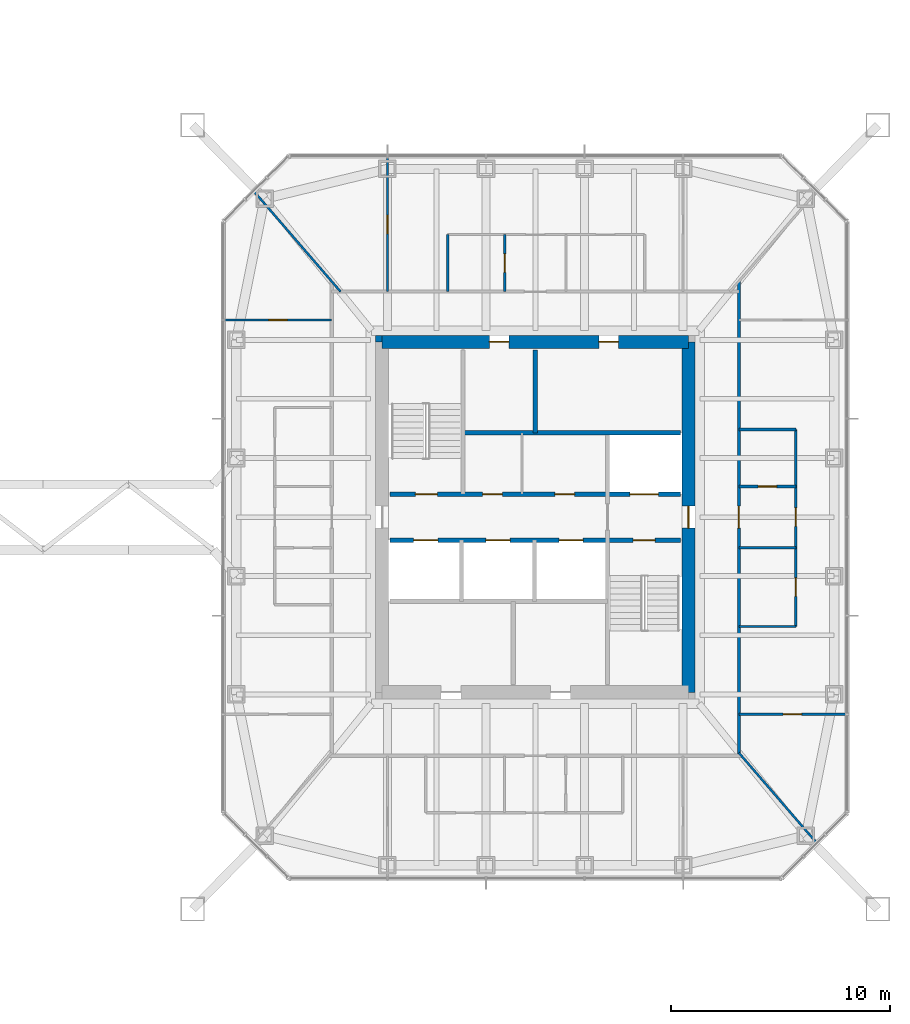
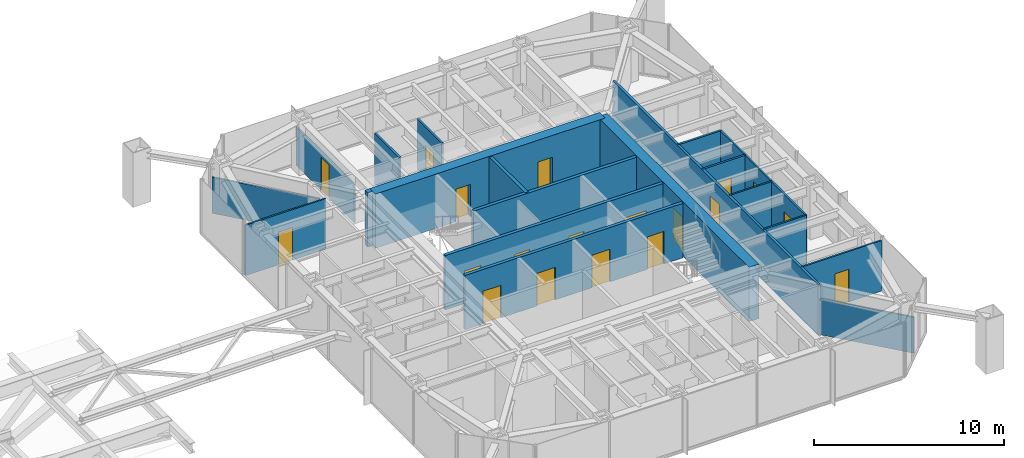
# One storey, part 19 of 26: 20 walls, 19 doors, 19 openings.
"""IFC4 building model written with IfcOpenShell, lengths in metres."""

from ifc_helpers import new_model, si_unit, direction, frame, frame_2d, origin, place, context, subcontext, project, spatial, rectangle, extrude, material, layer, layer_set, type_object, element, fill, save


model = new_model("IFC4")

# Units and contexts
model_context = context("Model", 3, precision=1e-05, world=origin(), true_north=direction((0.0, 1.0)))
body_context = subcontext(model_context, "Body", "Model", "MODEL_VIEW")
ifc_project = project(units=[si_unit("LENGTHUNIT", "METRE"), si_unit("AREAUNIT", "SQUARE_METRE"), si_unit("VOLUMEUNIT", "CUBIC_METRE"), si_unit("PLANEANGLEUNIT", "RADIAN"), si_unit("MASSUNIT", "GRAM", prefix="KILO")], contexts=[model_context])

# Site, building, storey
site_placement = place(None, origin())
site = spatial("IfcSite", under=ifc_project, at=site_placement, CompositionType="ELEMENT")
building_placement = place(site_placement, origin())
building = spatial("IfcBuilding", under=site, at=building_placement, Name="Iwan Alto Co-Living Towers", CompositionType="ELEMENT")
storey_placement = place(building_placement, frame((0.0, 0.0, 126.0)))
storey = spatial("IfcBuildingStorey", under=building, at=storey_placement, Name="L34", CompositionType="ELEMENT", Elevation=126.0)

# Wall, opening, door
ifc_material_1 = material(Name="Gypsum board")
ifc_layer_1 = layer(ifc_material_1, 0.02490234375, Name="Board", Category="Finish")
ifc_material_2 = material(Name="Steel ASTM A1003 ST33H cold-formed studs", Category="steel")
ifc_layer_2 = layer(ifc_material_2, 0.10009765625, Name="Studs", Category="Framing")
ifc_layer_3 = layer(ifc_material_1, 0.02490234375, Name="Board", Category="Finish")
ifc_layer_set_1 = layer_set([ifc_layer_1, ifc_layer_2, ifc_layer_3], Name="CORRIDOR WALL 150")
wall_type_1 = type_object("IfcWallType", Name="CORRIDOR WALL 150", PredefinedType="PARTITIONING", material=ifc_layer_set_1)
wall_1_placement = place(storey_placement, frame((72.300048828125, -10.89990234375, 0.0), z_axis=(0.0, 0.0, 1.0), x_axis=(0.0, 1.0, 0.0)))
wall_1 = element("IfcWall", 1, at=wall_1_placement, inside=storey, type_object=wall_type_1, Name="Partition L34", PredefinedType="PARTITIONING", context=body_context, shape_type="SweptSolid", body=[
    extrude(rectangle(XDim=21.66796875, YDim=0.14990234375, at=frame_2d((10.833984375, 0.0))), origin(), (0.0, 0.0, 1.0), 3.25),
])
opening_1_placement = place(wall_1_placement, frame((10.39990234375, 0.0, 0.0)))
opening_1 = element("IfcOpeningElement", 2, at=opening_1_placement, cuts=wall_1, Name="Opening D3", PredefinedType="OPENING", context=body_context, shape_type="SweptSolid", body=[
    extrude(rectangle(XDim=1.0, YDim=2.10009765625, at=frame_2d((0.5, 1.050048828125))), frame((0.0, 0.0849609375, 0.0), z_axis=(0.0, -1.0, 0.0), x_axis=(1.0, 0.0, 0.0)), (0.0, 0.0, 1.0), 0.169921875),
])
ifc_material_3 = material(Name="Steel frame with timber leaf", Category="steel")
door_type_1 = type_object("IfcDoorType", Name="FLAT ENTRANCE DOOR FD30S 1000X2100", OperationType="SINGLE_SWING_LEFT", PredefinedType="DOOR", material=ifc_material_3)
door_1_placement = place(opening_1_placement, frame((1.0, 0.0, 0.0), z_axis=(0.0, 0.0, 1.0), x_axis=(-1.0, 0.0, 0.0)))
door_1 = element("IfcDoor", 3, at=door_1_placement, inside=storey, type_object=door_type_1, Name="Apartment foyer door L34", OperationType="SINGLE_SWING_RIGHT", OverallHeight=2.10009765625, OverallWidth=1.0, PredefinedType="DOOR", context=body_context, shape_type="SweptSolid", body=[
    extrude(rectangle(XDim=1.0, YDim=2.10009765625, at=frame_2d((0.5, 1.050048828125))), frame((0.0, 0.02490234375, 0.0), z_axis=(0.0, -1.0, 0.0), x_axis=(1.0, 0.0, 0.0)), (0.0, 0.0, 1.0), 0.050048828125),
])
fill(opening_1, door_1)

ifc_layer_4 = layer(ifc_material_1, 0.012451171875, Name="Board", Category="Finish")
ifc_layer_5 = layer(ifc_material_2, 0.074951171875, Name="Studs", Category="Framing")
ifc_layer_6 = layer(ifc_material_1, 0.012451171875, Name="Board", Category="Finish")
ifc_layer_set_2 = layer_set([ifc_layer_4, ifc_layer_5, ifc_layer_6], Name="PARTITION 100")
wall_type_2 = type_object("IfcWallType", Name="PARTITION 100", PredefinedType="PARTITIONING", material=ifc_layer_set_2)
wall_2_placement = place(storey_placement, frame((72.300048828125, -9.0, 0.0), z_axis=(0.0, 0.0, 1.0), x_axis=(1.0, 0.0, 0.0)))
wall_2 = element("IfcWall", 4, at=wall_2_placement, inside=storey, type_object=wall_type_2, Name="Partition L34", PredefinedType="PARTITIONING", context=body_context, shape_type="SweptSolid", body=[
    extrude(rectangle(XDim=4.889892578125, YDim=0.10009765625, at=frame_2d((2.44482421875, 0.0))), origin(), (0.0, 0.0, 1.0), 3.25),
])
opening_2_placement = place(wall_2_placement, frame((2.02001953125, 0.0, 0.0)))
opening_2 = element("IfcOpeningElement", 5, at=opening_2_placement, cuts=wall_2, Name="Opening D2", PredefinedType="OPENING", context=body_context, shape_type="SweptSolid", body=[
    extrude(rectangle(XDim=0.85009765625, YDim=2.10009765625, at=frame_2d((0.425048828125, 1.050048828125))), frame((0.0, 0.06005859375, 0.0), z_axis=(0.0, -1.0, 0.0), x_axis=(1.0, 0.0, 0.0)), (0.0, 0.0, 1.0), 0.1201171875),
])
ifc_material_4 = material(Name="Timber leaf in steel frame", Category="steel")
door_type_2 = type_object("IfcDoorType", Name="ROOM DOOR 850X2100", OperationType="SINGLE_SWING_LEFT", PredefinedType="DOOR", material=ifc_material_4)
door_2_placement = place(opening_2_placement, origin())
door_2 = element("IfcDoor", 6, at=door_2_placement, inside=storey, type_object=door_type_2, Name="Bedroom door L34", OperationType="SINGLE_SWING_LEFT", OverallHeight=2.10009765625, OverallWidth=0.85009765625, PredefinedType="DOOR", context=body_context, shape_type="SweptSolid", body=[
    extrude(rectangle(XDim=0.85009765625, YDim=2.10009765625, at=frame_2d((0.425048828125, 1.050048828125))), frame((0.0, 0.02490234375, 0.0), z_axis=(0.0, -1.0, 0.0), x_axis=(1.0, 0.0, 0.0)), (0.0, 0.0, 1.0), 0.050048828125),
])
fill(opening_2, door_2)

# Walls
for number, where, z_axis, x_axis, name in (
    (7, (72.300048828125, -5.0, 0.0), (0.0, 0.0, 1.0), (1.0, 0.0, 0.0), "Partition L34"),
    (8, (72.300048828125, -1.39990234375, 0.0), (0.0, 0.0, 1.0), (1.0, 0.0, 0.0), "Partition L34"),
):
    element("IfcWall", number, at=place(storey_placement, frame(where, z_axis=z_axis, x_axis=x_axis)), inside=storey, type_object=wall_type_2, Name=name, PredefinedType="PARTITIONING", context=body_context, shape_type="SweptSolid", body=[
        extrude(rectangle(XDim=2.599853515625, YDim=0.10009765625, at=frame_2d((1.2998046875, 0.0))), origin(), (0.0, 0.0, 1.0), 3.25),
    ])

# Wall, opening, door
wall_3_placement = place(storey_placement, frame((48.81005859375, 9.0, 0.0), z_axis=(0.0, 0.0, 1.0), x_axis=(1.0, 0.0, 0.0)))
wall_3 = element("IfcWall", 9, at=wall_3_placement, inside=storey, type_object=wall_type_2, Name="Partition L34", PredefinedType="PARTITIONING", context=body_context, shape_type="SweptSolid", body=[
    extrude(rectangle(XDim=4.889892578125, YDim=0.10009765625, at=frame_2d((2.44482421875, 0.0))), origin(), (0.0, 0.0, 1.0), 3.25),
])
opening_3_placement = place(wall_3_placement, frame((2.02001953125, 0.0, 0.0)))
opening_3 = element("IfcOpeningElement", 10, at=opening_3_placement, cuts=wall_3, Name="Opening D2", PredefinedType="OPENING", context=body_context, shape_type="SweptSolid", body=[
    extrude(rectangle(XDim=0.85009765625, YDim=2.10009765625, at=frame_2d((0.425048828125, 1.050048828125))), frame((0.0, 0.06005859375, 0.0), z_axis=(0.0, -1.0, 0.0), x_axis=(1.0, 0.0, 0.0)), (0.0, 0.0, 1.0), 0.1201171875),
])
door_3_placement = place(opening_3_placement, frame((0.85009765625, 0.0, 0.0), z_axis=(0.0, 0.0, 1.0), x_axis=(-1.0, 0.0, 0.0)))
door_3 = element("IfcDoor", 11, at=door_3_placement, inside=storey, type_object=door_type_2, Name="Bedroom door L34", OperationType="SINGLE_SWING_LEFT", OverallHeight=2.10009765625, OverallWidth=0.85009765625, PredefinedType="DOOR", context=body_context, shape_type="SweptSolid", body=[
    extrude(rectangle(XDim=0.85009765625, YDim=2.10009765625, at=frame_2d((0.425048828125, 1.050048828125))), frame((0.0, 0.02490234375, 0.0), z_axis=(0.0, -1.0, 0.0), x_axis=(1.0, 0.0, 0.0)), (0.0, 0.0, 1.0), 0.050048828125),
])
fill(opening_3, door_3)

# Wall, openings, doors
wall_4_placement = place(storey_placement, frame((74.89990234375, -5.0, 0.0), z_axis=(0.0, 0.0, 1.0), x_axis=(0.0, 1.0, 0.0)))
wall_4 = element("IfcWall", 12, at=wall_4_placement, inside=storey, type_object=wall_type_2, Name="Partition L34", PredefinedType="PARTITIONING", context=body_context, shape_type="SweptSolid", body=[
    extrude(rectangle(XDim=9.0, YDim=0.10009765625, at=frame_2d((4.5, 0.0))), origin(), (0.0, 0.0, 1.0), 3.25),
])
opening_4_placement = place(wall_4_placement, frame((1.375, 0.0, 0.0)))
opening_4 = element("IfcOpeningElement", 13, at=opening_4_placement, cuts=wall_4, Name="Opening D2", PredefinedType="OPENING", context=body_context, shape_type="SweptSolid", body=[
    extrude(rectangle(XDim=0.85009765625, YDim=2.10009765625, at=frame_2d((0.425048828125, 1.050048828125))), frame((0.0, 0.06005859375, 0.0), z_axis=(0.0, -1.0, 0.0), x_axis=(1.0, 0.0, 0.0)), (0.0, 0.0, 1.0), 0.1201171875),
])
opening_5_placement = place(wall_4_placement, frame((4.574951171875, 0.0, 0.0)))
opening_5 = element("IfcOpeningElement", 14, at=opening_5_placement, cuts=wall_4, Name="Opening D2", PredefinedType="OPENING", context=body_context, shape_type="SweptSolid", body=[
    extrude(rectangle(XDim=0.85009765625, YDim=2.10009765625, at=frame_2d((0.425048828125, 1.050048828125))), frame((0.0, 0.06005859375, 0.0), z_axis=(0.0, -1.0, 0.0), x_axis=(1.0, 0.0, 0.0)), (0.0, 0.0, 1.0), 0.1201171875),
])
door_4_placement = place(opening_4_placement, frame((0.85009765625, 0.0, 0.0), z_axis=(0.0, 0.0, 1.0), x_axis=(-1.0, 0.0, 0.0)))
door_4 = element("IfcDoor", 15, at=door_4_placement, inside=storey, type_object=door_type_2, Name="Kitchen door L34", OperationType="SINGLE_SWING_RIGHT", OverallHeight=2.10009765625, OverallWidth=0.85009765625, PredefinedType="DOOR", context=body_context, shape_type="SweptSolid", body=[
    extrude(rectangle(XDim=0.85009765625, YDim=2.10009765625, at=frame_2d((0.425048828125, 1.050048828125))), frame((0.0, 0.02490234375, 0.0), z_axis=(0.0, -1.0, 0.0), x_axis=(1.0, 0.0, 0.0)), (0.0, 0.0, 1.0), 0.050048828125),
])
fill(opening_4, door_4)
door_5_placement = place(opening_5_placement, frame((0.85009765625, 0.0, 0.0), z_axis=(0.0, 0.0, 1.0), x_axis=(-1.0, 0.0, 0.0)))
door_5 = element("IfcDoor", 16, at=door_5_placement, inside=storey, type_object=door_type_2, Name="Apartment foyer door L34", OperationType="SINGLE_SWING_RIGHT", OverallHeight=2.10009765625, OverallWidth=0.85009765625, PredefinedType="DOOR", context=body_context, shape_type="SweptSolid", body=[
    extrude(rectangle(XDim=0.85009765625, YDim=2.10009765625, at=frame_2d((0.425048828125, 1.050048828125))), frame((0.0, 0.02490234375, 0.0), z_axis=(0.0, -1.0, 0.0), x_axis=(1.0, 0.0, 0.0)), (0.0, 0.0, 1.0), 0.050048828125),
])
fill(opening_5, door_5)

# Wall, opening, door
wall_5_placement = place(storey_placement, frame((56.25, 10.300048828125, 0.0), z_axis=(0.0, 0.0, 1.0), x_axis=(0.0, 1.0, 0.0)))
wall_5 = element("IfcWall", 17, at=wall_5_placement, inside=storey, type_object=wall_type_2, Name="Partition L34", PredefinedType="PARTITIONING", context=body_context, shape_type="SweptSolid", body=[
    extrude(rectangle(XDim=6.139892578125, YDim=0.10009765625, at=frame_2d((3.06982421875, 0.0))), origin(), (0.0, 0.0, 1.0), 2.477783203125),
])
opening_6_placement = place(wall_5_placement, frame((2.64501953125, 0.0, 0.0)))
opening_6 = element("IfcOpeningElement", 18, at=opening_6_placement, cuts=wall_5, Name="Opening D2", PredefinedType="OPENING", context=body_context, shape_type="SweptSolid", body=[
    extrude(rectangle(XDim=0.85009765625, YDim=2.10009765625, at=frame_2d((0.425048828125, 1.050048828125))), frame((0.0, 0.06005859375, 0.0), z_axis=(0.0, -1.0, 0.0), x_axis=(1.0, 0.0, 0.0)), (0.0, 0.0, 1.0), 0.1201171875),
])
door_6_placement = place(opening_6_placement, frame((0.85009765625, 0.0, 0.0), z_axis=(0.0, 0.0, 1.0), x_axis=(-1.0, 0.0, 0.0)))
door_6 = element("IfcDoor", 19, at=door_6_placement, inside=storey, type_object=door_type_2, Name="Bedroom door L34", OperationType="SINGLE_SWING_RIGHT", OverallHeight=2.10009765625, OverallWidth=0.85009765625, PredefinedType="DOOR", context=body_context, shape_type="SweptSolid", body=[
    extrude(rectangle(XDim=0.85009765625, YDim=2.10009765625, at=frame_2d((0.425048828125, 1.050048828125))), frame((0.0, 0.02490234375, 0.0), z_axis=(0.0, -1.0, 0.0), x_axis=(1.0, 0.0, 0.0)), (0.0, 0.0, 1.0), 0.050048828125),
])
fill(opening_6, door_6)

# Walls
wall_6_placement = place(storey_placement, frame((54.10498046875, 10.300048828125, 0.0), z_axis=(0.0, 0.0, 1.0), x_axis=(-0.653606109319, 0.756834892074, 0.0)))
element("IfcWall", 20, at=wall_6_placement, inside=storey, type_object=wall_type_2, Name="Partition L34", PredefinedType="PARTITIONING", context=body_context, shape_type="SweptSolid", body=[
    extrude(rectangle(XDim=6.0048828125, YDim=0.10009765625, at=frame_2d((3.00244140625, 0.0))), origin(), (0.0, 0.0, 1.0), 2.322998046875),
])
wall_7_placement = place(storey_placement, frame((75.821044921875, -14.843994140625, 0.0), z_axis=(0.0, 0.0, 1.0), x_axis=(-0.653713095188, 0.756742485381, 0.0)))
element("IfcWall", 21, at=wall_7_placement, inside=storey, type_object=wall_type_2, Name="Partition L34", PredefinedType="PARTITIONING", context=body_context, shape_type="SweptSolid", body=[
    extrude(rectangle(XDim=5.38623046875, YDim=0.10009765625, at=frame_2d((2.693115234375, 0.0))), origin(), (0.0, 0.0, 1.0), 2.322998046875),
])

# Wall, openings, doors
ifc_material_5 = material(Name="Concrete f'c 70 MPa", Category="concrete")
ifc_layer_7 = layer(ifc_material_5, 0.199951171875)
ifc_layer_set_3 = layer_set([ifc_layer_7], Name="SHAFT WALL 200")
wall_type_3 = type_object("IfcWallType", Name="SHAFT WALL 200", PredefinedType="SOLIDWALL", material=ifc_layer_set_3)
wall_8_placement = place(storey_placement, frame((56.360107421875, -1.050048828125, 0.0), z_axis=(0.0, 0.0, 1.0), x_axis=(1.0, 0.0, 0.0)))
wall_8 = element("IfcWall", 22, at=wall_8_placement, inside=storey, type_object=wall_type_3, Name="Shaft wall L34", PredefinedType="SOLIDWALL", context=body_context, shape_type="SweptSolid", body=[
    extrude(rectangle(XDim=13.27978515625, YDim=0.199951171875, at=frame_2d((6.639892578125, 0.0))), origin(), (0.0, 0.0, 1.0), 3.5),
])
opening_7_placement = place(wall_8_placement, frame((11.110107421875, 0.0, 0.0)))
opening_7 = element("IfcOpeningElement", 23, at=opening_7_placement, cuts=wall_8, Name="Opening D5", PredefinedType="OPENING", context=body_context, shape_type="SweptSolid", body=[
    extrude(rectangle(XDim=1.0, YDim=2.10009765625, at=frame_2d((0.5, 1.050048828125))), frame((0.0, 0.10986328125, 0.0), z_axis=(0.0, -1.0, 0.0), x_axis=(1.0, 0.0, 0.0)), (0.0, 0.0, 1.0), 0.219970703125),
])
opening_8_placement = place(wall_8_placement, frame((1.0869140625, 0.0, 0.0)))
opening_8 = element("IfcOpeningElement", 24, at=opening_8_placement, cuts=wall_8, Name="Opening LD", PredefinedType="OPENING", context=body_context, shape_type="SweptSolid", body=[
    extrude(rectangle(XDim=1.10009765625, YDim=2.10009765625, at=frame_2d((0.550048828125, 1.050048828125))), frame((0.0, 0.10986328125, 0.0), z_axis=(0.0, -1.0, 0.0), x_axis=(1.0, 0.0, 0.0)), (0.0, 0.0, 1.0), 0.219970703125),
])
opening_9_placement = place(wall_8_placement, frame((4.389892578125, 0.0, 0.0)))
opening_9 = element("IfcOpeningElement", 25, at=opening_9_placement, cuts=wall_8, Name="Opening LD", PredefinedType="OPENING", context=body_context, shape_type="SweptSolid", body=[
    extrude(rectangle(XDim=1.10009765625, YDim=2.10009765625, at=frame_2d((0.550048828125, 1.050048828125))), frame((0.0, 0.10986328125, 0.0), z_axis=(0.0, -1.0, 0.0), x_axis=(1.0, 0.0, 0.0)), (0.0, 0.0, 1.0), 0.219970703125),
])
opening_10_placement = place(wall_8_placement, frame((7.72412109375, 0.0, 0.0)))
opening_10 = element("IfcOpeningElement", 26, at=opening_10_placement, cuts=wall_8, Name="Opening LD", PredefinedType="OPENING", context=body_context, shape_type="SweptSolid", body=[
    extrude(rectangle(XDim=1.10009765625, YDim=2.10009765625, at=frame_2d((0.550048828125, 1.050048828125))), frame((0.0, 0.10986328125, 0.0), z_axis=(0.0, -1.0, 0.0), x_axis=(1.0, 0.0, 0.0)), (0.0, 0.0, 1.0), 0.219970703125),
])
ifc_material_6 = material(Name="Steel frame with timber leaf", Category="steel")
door_type_3 = type_object("IfcDoorType", Name="LIFT LANDING DOOR 1100X2100", OperationType="DOUBLE_DOOR_SLIDING", PredefinedType="DOOR", material=ifc_material_6)
door_7_placement = place(opening_8_placement, origin())
door_7 = element("IfcDoor", 27, at=door_7_placement, inside=storey, type_object=door_type_3, Name="Lift P5-1 landing door L34", OperationType="DOUBLE_DOOR_SLIDING", OverallHeight=2.10009765625, OverallWidth=1.10009765625, PredefinedType="DOOR", context=body_context, shape_type="SweptSolid", body=[
    extrude(rectangle(XDim=1.10009765625, YDim=2.10009765625, at=frame_2d((0.550048828125, 1.050048828125))), frame((0.0, 0.02490234375, 0.0), z_axis=(0.0, -1.0, 0.0), x_axis=(1.0, 0.0, 0.0)), (0.0, 0.0, 1.0), 0.050048828125),
])
fill(opening_8, door_7)
door_8_placement = place(opening_9_placement, origin())
door_8 = element("IfcDoor", 28, at=door_8_placement, inside=storey, type_object=door_type_3, Name="Lift P5-2 landing door L34", OperationType="DOUBLE_DOOR_SLIDING", OverallHeight=2.10009765625, OverallWidth=1.10009765625, PredefinedType="DOOR", context=body_context, shape_type="SweptSolid", body=[
    extrude(rectangle(XDim=1.10009765625, YDim=2.10009765625, at=frame_2d((0.550048828125, 1.050048828125))), frame((0.0, 0.02490234375, 0.0), z_axis=(0.0, -1.0, 0.0), x_axis=(1.0, 0.0, 0.0)), (0.0, 0.0, 1.0), 0.050048828125),
])
fill(opening_9, door_8)
door_9_placement = place(opening_10_placement, origin())
door_9 = element("IfcDoor", 29, at=door_9_placement, inside=storey, type_object=door_type_3, Name="Lift P6-3 landing door L34", OperationType="DOUBLE_DOOR_SLIDING", OverallHeight=2.10009765625, OverallWidth=1.10009765625, PredefinedType="DOOR", context=body_context, shape_type="SweptSolid", body=[
    extrude(rectangle(XDim=1.10009765625, YDim=2.10009765625, at=frame_2d((0.550048828125, 1.050048828125))), frame((0.0, 0.02490234375, 0.0), z_axis=(0.0, -1.0, 0.0), x_axis=(1.0, 0.0, 0.0)), (0.0, 0.0, 1.0), 0.050048828125),
])
fill(opening_10, door_9)
ifc_material_7 = material(Name="Steel frame with timber leaf", Category="steel")
door_type_4 = type_object("IfcDoorType", Name="STAIR DOOR FD120S 1000X2100", OperationType="SINGLE_SWING_LEFT", PredefinedType="DOOR", material=ifc_material_7)
door_10_placement = place(opening_7_placement, frame((1.0, 0.0, 0.0), z_axis=(0.0, 0.0, 1.0), x_axis=(-1.0, 0.0, 0.0)))
door_10 = element("IfcDoor", 30, at=door_10_placement, inside=storey, type_object=door_type_4, Name="Stair S2 door L34", OperationType="SINGLE_SWING_RIGHT", OverallHeight=2.10009765625, OverallWidth=1.0, PredefinedType="DOOR", context=body_context, shape_type="SweptSolid", body=[
    extrude(rectangle(XDim=1.0, YDim=2.10009765625, at=frame_2d((0.5, 1.050048828125))), frame((0.0, 0.02490234375, 0.0), z_axis=(0.0, -1.0, 0.0), x_axis=(1.0, 0.0, 0.0)), (0.0, 0.0, 1.0), 0.050048828125),
])
fill(opening_7, door_10)

wall_9_placement = place(storey_placement, frame((56.360107421875, 1.050048828125, 0.0), z_axis=(0.0, 0.0, 1.0), x_axis=(1.0, 0.0, 0.0)))
wall_9 = element("IfcWall", 31, at=wall_9_placement, inside=storey, type_object=wall_type_3, Name="Shaft wall L34", PredefinedType="SOLIDWALL", context=body_context, shape_type="SweptSolid", body=[
    extrude(rectangle(XDim=13.27978515625, YDim=0.199951171875, at=frame_2d((6.639892578125, 0.0))), origin(), (0.0, 0.0, 1.0), 3.5),
])
opening_11_placement = place(wall_9_placement, frame((1.169921875, 0.0, 0.0)))
opening_11 = element("IfcOpeningElement", 32, at=opening_11_placement, cuts=wall_9, Name="Opening D5", PredefinedType="OPENING", context=body_context, shape_type="SweptSolid", body=[
    extrude(rectangle(XDim=1.0, YDim=2.10009765625, at=frame_2d((0.5, 1.050048828125))), frame((0.0, 0.10986328125, 0.0), z_axis=(0.0, -1.0, 0.0), x_axis=(1.0, 0.0, 0.0)), (0.0, 0.0, 1.0), 0.219970703125),
])
opening_12_placement = place(wall_9_placement, frame((7.5400390625, 0.0, 0.0)))
opening_12 = element("IfcOpeningElement", 33, at=opening_12_placement, cuts=wall_9, Name="Opening D8", PredefinedType="OPENING", context=body_context, shape_type="SweptSolid", body=[
    extrude(rectangle(XDim=0.89990234375, YDim=2.10009765625, at=frame_2d((0.449951171875, 1.050048828125))), frame((0.0, 0.10986328125, 0.0), z_axis=(0.0, -1.0, 0.0), x_axis=(1.0, 0.0, 0.0)), (0.0, 0.0, 1.0), 0.219970703125),
])
opening_13_placement = place(wall_9_placement, frame((4.239990234375, 0.0, 0.0)))
opening_13 = element("IfcOpeningElement", 34, at=opening_13_placement, cuts=wall_9, Name="Opening D15", PredefinedType="OPENING", context=body_context, shape_type="SweptSolid", body=[
    extrude(rectangle(XDim=0.89990234375, YDim=2.10009765625, at=frame_2d((0.449951171875, 1.050048828125))), frame((0.0, 0.10986328125, 0.0), z_axis=(0.0, -1.0, 0.0), x_axis=(1.0, 0.0, 0.0)), (0.0, 0.0, 1.0), 0.219970703125),
])
opening_14_placement = place(wall_9_placement, frame((10.9599609375, 0.0, 0.0)))
opening_14 = element("IfcOpeningElement", 35, at=opening_14_placement, cuts=wall_9, Name="Opening LD2", PredefinedType="OPENING", context=body_context, shape_type="SweptSolid", body=[
    extrude(rectangle(XDim=1.300048828125, YDim=2.10009765625, at=frame_2d((0.64990234375, 1.050048828125))), frame((0.0, 0.10986328125, 0.0), z_axis=(0.0, -1.0, 0.0), x_axis=(1.0, 0.0, 0.0)), (0.0, 0.0, 1.0), 0.219970703125),
])
ifc_material_8 = material(Name="Steel frame with timber leaf", Category="steel")
door_type_5 = type_object("IfcDoorType", Name="CORE ROOM DOOR FD60S 900X2100", OperationType="SINGLE_SWING_LEFT", PredefinedType="DOOR", material=ifc_material_8)
door_11_placement = place(opening_13_placement, origin())
door_11 = element("IfcDoor", 36, at=door_11_placement, inside=storey, type_object=door_type_5, Name="Linen store door L34", OperationType="SINGLE_SWING_LEFT", OverallHeight=2.10009765625, OverallWidth=0.89990234375, PredefinedType="DOOR", context=body_context, shape_type="SweptSolid", body=[
    extrude(rectangle(XDim=0.89990234375, YDim=2.10009765625, at=frame_2d((0.449951171875, 1.050048828125))), frame((0.0, 0.02490234375, 0.0), z_axis=(0.0, -1.0, 0.0), x_axis=(1.0, 0.0, 0.0)), (0.0, 0.0, 1.0), 0.050048828125),
])
fill(opening_13, door_11)
ifc_material_9 = material(Name="Steel frame with timber leaf", Category="steel")
door_type_6 = type_object("IfcDoorType", Name="LIFT LANDING DOOR 1300X2100", OperationType="SLIDING_TO_LEFT", PredefinedType="DOOR", material=ifc_material_9)
door_12_placement = place(opening_14_placement, origin())
door_12 = element("IfcDoor", 37, at=door_12_placement, inside=storey, type_object=door_type_6, Name="Lift FL2 landing door L34", OperationType="SLIDING_TO_LEFT", OverallHeight=2.10009765625, OverallWidth=1.300048828125, PredefinedType="DOOR", context=body_context, shape_type="SweptSolid", body=[
    extrude(rectangle(XDim=1.300048828125, YDim=2.10009765625, at=frame_2d((0.64990234375, 1.050048828125))), frame((0.0, 0.02490234375, 0.0), z_axis=(0.0, -1.0, 0.0), x_axis=(1.0, 0.0, 0.0)), (0.0, 0.0, 1.0), 0.050048828125),
])
fill(opening_14, door_12)
ifc_material_10 = material(Name="Steel frame with timber leaf", Category="steel")
door_type_7 = type_object("IfcDoorType", Name="RISER DOOR FD120 900X2100", OperationType="SINGLE_SWING_LEFT", PredefinedType="DOOR", material=ifc_material_10)
door_13_placement = place(opening_12_placement, origin())
door_13 = element("IfcDoor", 38, at=door_13_placement, inside=storey, type_object=door_type_7, Name="Riser room door L34", OperationType="SINGLE_SWING_LEFT", OverallHeight=2.10009765625, OverallWidth=0.89990234375, PredefinedType="DOOR", context=body_context, shape_type="SweptSolid", body=[
    extrude(rectangle(XDim=0.89990234375, YDim=2.10009765625, at=frame_2d((0.449951171875, 1.050048828125))), frame((0.0, 0.02490234375, 0.0), z_axis=(0.0, -1.0, 0.0), x_axis=(1.0, 0.0, 0.0)), (0.0, 0.0, 1.0), 0.050048828125),
])
fill(opening_12, door_13)
door_14_placement = place(opening_11_placement, origin())
door_14 = element("IfcDoor", 39, at=door_14_placement, inside=storey, type_object=door_type_4, Name="Stair S1 door L34", OperationType="SINGLE_SWING_RIGHT", OverallHeight=2.10009765625, OverallWidth=1.0, PredefinedType="DOOR", context=body_context, shape_type="SweptSolid", body=[
    extrude(rectangle(XDim=1.0, YDim=2.10009765625, at=frame_2d((0.5, 1.050048828125))), frame((0.0, 0.02490234375, 0.0), z_axis=(0.0, -1.0, 0.0), x_axis=(1.0, 0.0, 0.0)), (0.0, 0.0, 1.0), 0.050048828125),
])
fill(opening_11, door_14)

# Walls
wall_10_placement = place(storey_placement, frame((59.699951171875, 3.85009765625, 0.0), z_axis=(0.0, 0.0, 1.0), x_axis=(1.0, 0.0, 0.0)))
element("IfcWall", 40, at=wall_10_placement, inside=storey, type_object=wall_type_3, Name="Shaft wall L34", PredefinedType="SOLIDWALL", context=body_context, shape_type="SweptSolid", body=[
    extrude(rectangle(XDim=9.93994140625, YDim=0.199951171875, at=frame_2d((4.969970703125, 0.0))), origin(), (0.0, 0.0, 1.0), 3.5),
])
wall_11_placement = place(storey_placement, frame((63.0, 3.85009765625, 0.0), z_axis=(0.0, 0.0, 1.0), x_axis=(0.0, 1.0, 0.0)))
element("IfcWall", 41, at=wall_11_placement, inside=storey, type_object=wall_type_3, Name="Shaft wall L34", PredefinedType="SOLIDWALL", context=body_context, shape_type="SweptSolid", body=[
    extrude(rectangle(XDim=3.789794921875, YDim=0.199951171875, at=frame_2d((1.89501953125, 0.0))), origin(), (0.0, 0.0, 1.0), 3.5),
])
ifc_material_11 = material(Name="Concrete f'c 70 MPa", Category="concrete")
ifc_layer_8 = layer(ifc_material_11, 0.300048828125)
ifc_layer_set_4 = layer_set([ifc_layer_8], Name="T2 CORE CORNER FILL 300")
wall_type_4 = type_object("IfcWallType", Name="T2 CORE CORNER FILL 300", PredefinedType="SOLIDWALL", material=ifc_layer_set_4)
wall_12_placement = place(storey_placement, frame((55.699951171875, 8.14990234375, 0.0), z_axis=(0.0, 0.0, 1.0), x_axis=(1.0, 0.0, 0.0)))
element("IfcWall", 42, at=wall_12_placement, inside=storey, type_object=wall_type_4, Name="T2 core corner NW L34", PredefinedType="SOLIDWALL", context=body_context, shape_type="SweptSolid", body=[
    extrude(rectangle(XDim=0.300048828125, YDim=0.300048828125, at=frame_2d((0.14990234375, 0.0))), origin(), (0.0, 0.0, 1.0), 3.5),
])

# Wall, openings, doors
ifc_material_12 = material(Name="Concrete f'c 70 MPa", Category="concrete")
ifc_layer_9 = layer(ifc_material_12, 0.60009765625)
ifc_layer_set_5 = layer_set([ifc_layer_9], Name="T2 CORE WALL 600")
wall_type_5 = type_object("IfcWallType", Name="T2 CORE WALL 600", PredefinedType="SHEAR", material=ifc_layer_set_5)
wall_13_placement = place(storey_placement, frame((70.0, 8.0, 0.0), z_axis=(0.0, 0.0, 1.0), x_axis=(-1.0, 0.0, 0.0)))
wall_13 = element("IfcWall", 43, at=wall_13_placement, inside=storey, type_object=wall_type_5, Name="T2 core wall N L34", PredefinedType="SHEAR", context=body_context, shape_type="SweptSolid", body=[
    extrude(rectangle(XDim=14.0, YDim=0.60009765625, at=frame_2d((7.0, 0.0))), origin(), (0.0, 0.0, 1.0), 3.5),
])
opening_15_placement = place(wall_13_placement, frame((8.199951171875, 0.0, 0.0)))
opening_15 = element("IfcOpeningElement", 44, at=opening_15_placement, cuts=wall_13, Name="Opening D8", PredefinedType="OPENING", context=body_context, shape_type="SweptSolid", body=[
    extrude(rectangle(XDim=0.89990234375, YDim=2.10009765625, at=frame_2d((0.449951171875, 1.050048828125))), frame((0.0, 0.31005859375, 0.0), z_axis=(0.0, -1.0, 0.0), x_axis=(1.0, 0.0, 0.0)), (0.0, 0.0, 1.0), 0.6201171875),
])
opening_16_placement = place(wall_13_placement, frame((3.199951171875, 0.0, 0.0)))
opening_16 = element("IfcOpeningElement", 45, at=opening_16_placement, cuts=wall_13, Name="Opening D8", PredefinedType="OPENING", context=body_context, shape_type="SweptSolid", body=[
    extrude(rectangle(XDim=0.89990234375, YDim=2.10009765625, at=frame_2d((0.449951171875, 1.050048828125))), frame((0.0, 0.31005859375, 0.0), z_axis=(0.0, -1.0, 0.0), x_axis=(1.0, 0.0, 0.0)), (0.0, 0.0, 1.0), 0.6201171875),
])
door_15_placement = place(opening_15_placement, origin())
door_15 = element("IfcDoor", 46, at=door_15_placement, inside=storey, type_object=door_type_7, Name="Electrical riser core door L34", OperationType="SINGLE_SWING_RIGHT", OverallHeight=2.10009765625, OverallWidth=0.89990234375, PredefinedType="DOOR", context=body_context, shape_type="SweptSolid", body=[
    extrude(rectangle(XDim=0.89990234375, YDim=2.10009765625, at=frame_2d((0.449951171875, 1.050048828125))), frame((0.0, 0.02490234375, 0.0), z_axis=(0.0, -1.0, 0.0), x_axis=(1.0, 0.0, 0.0)), (0.0, 0.0, 1.0), 0.050048828125),
])
fill(opening_15, door_15)
door_16_placement = place(opening_16_placement, origin())
door_16 = element("IfcDoor", 47, at=door_16_placement, inside=storey, type_object=door_type_7, Name="Water and drainage riser core door L34", OperationType="SINGLE_SWING_RIGHT", OverallHeight=2.10009765625, OverallWidth=0.89990234375, PredefinedType="DOOR", context=body_context, shape_type="SweptSolid", body=[
    extrude(rectangle(XDim=0.89990234375, YDim=2.10009765625, at=frame_2d((0.449951171875, 1.050048828125))), frame((0.0, 0.02490234375, 0.0), z_axis=(0.0, -1.0, 0.0), x_axis=(1.0, 0.0, 0.0)), (0.0, 0.0, 1.0), 0.050048828125),
])
fill(opening_16, door_16)

# Wall, opening, door
wall_14_placement = place(storey_placement, frame((70.0, -8.0, 0.0), z_axis=(0.0, 0.0, 1.0), x_axis=(0.0, 1.0, 0.0)))
wall_14 = element("IfcWall", 48, at=wall_14_placement, inside=storey, type_object=wall_type_5, Name="T2 core wall E L34", PredefinedType="SHEAR", context=body_context, shape_type="SweptSolid", body=[
    extrude(rectangle(XDim=16.0, YDim=0.60009765625, at=frame_2d((8.0, 0.0))), origin(), (0.0, 0.0, 1.0), 3.5),
])
opening_17_placement = place(wall_14_placement, frame((7.5, 0.0, 0.0)))
opening_17 = element("IfcOpeningElement", 49, at=opening_17_placement, cuts=wall_14, Name="Opening D7", PredefinedType="OPENING", context=body_context, shape_type="SweptSolid", body=[
    extrude(rectangle(XDim=1.0, YDim=2.10009765625, at=frame_2d((0.5, 1.050048828125))), frame((0.0, 0.31005859375, 0.0), z_axis=(0.0, -1.0, 0.0), x_axis=(1.0, 0.0, 0.0)), (0.0, 0.0, 1.0), 0.6201171875),
])
ifc_material_13 = material(Name="Steel frame with timber leaf", Category="steel")
door_type_8 = type_object("IfcDoorType", Name="CORE DOOR FD120S 1000X2100", OperationType="SINGLE_SWING_LEFT", PredefinedType="DOOR", material=ifc_material_13)
door_17_placement = place(opening_17_placement, origin())
door_17 = element("IfcDoor", 50, at=door_17_placement, inside=storey, type_object=door_type_8, Name="Firefighting lobby core door L34", OperationType="SINGLE_SWING_LEFT", OverallHeight=2.10009765625, OverallWidth=1.0, PredefinedType="DOOR", context=body_context, shape_type="SweptSolid", body=[
    extrude(rectangle(XDim=1.0, YDim=2.10009765625, at=frame_2d((0.5, 1.050048828125))), frame((0.0, 0.02490234375, 0.0), z_axis=(0.0, -1.0, 0.0), x_axis=(1.0, 0.0, 0.0)), (0.0, 0.0, 1.0), 0.050048828125),
])
fill(opening_17, door_17)

ifc_material_14 = material(Name="Cement board")
ifc_layer_10 = layer(ifc_material_14, 0.012451171875, Name="Board", Category="Finish")
ifc_layer_11 = layer(ifc_material_2, 0.094970703125, Name="Studs", Category="Framing")
ifc_layer_12 = layer(ifc_material_14, 0.012451171875, Name="Board", Category="Finish")
ifc_layer_set_6 = layer_set([ifc_layer_10, ifc_layer_11, ifc_layer_12], Name="WET AREA PARTITION 120")
wall_type_6 = type_object("IfcWallType", Name="WET AREA PARTITION 120", PredefinedType="PARTITIONING", material=ifc_layer_set_6)
wall_15_placement = place(storey_placement, frame((72.300048828125, 1.39990234375, 0.0), z_axis=(0.0, 0.0, 1.0), x_axis=(1.0, 0.0, 0.0)))
wall_15 = element("IfcWall", 51, at=wall_15_placement, inside=storey, type_object=wall_type_6, Name="Partition L34", PredefinedType="PARTITIONING", context=body_context, shape_type="SweptSolid", body=[
    extrude(rectangle(XDim=2.599853515625, YDim=0.1201171875, at=frame_2d((1.2998046875, 0.0))), origin(), (0.0, 0.0, 1.0), 3.25),
])
opening_18_placement = place(wall_15_placement, frame((0.875, 0.0, 0.0)))
opening_18 = element("IfcOpeningElement", 52, at=opening_18_placement, cuts=wall_15, Name="Opening D2", PredefinedType="OPENING", context=body_context, shape_type="SweptSolid", body=[
    extrude(rectangle(XDim=0.85009765625, YDim=2.10009765625, at=frame_2d((0.425048828125, 1.050048828125))), frame((0.0, 0.070068359375, 0.0), z_axis=(0.0, -1.0, 0.0), x_axis=(1.0, 0.0, 0.0)), (0.0, 0.0, 1.0), 0.14013671875),
])
door_18_placement = place(opening_18_placement, origin())
door_18 = element("IfcDoor", 53, at=door_18_placement, inside=storey, type_object=door_type_2, Name="Bathroom door L34", OperationType="SINGLE_SWING_LEFT", OverallHeight=2.10009765625, OverallWidth=0.85009765625, PredefinedType="DOOR", context=body_context, shape_type="SweptSolid", body=[
    extrude(rectangle(XDim=0.85009765625, YDim=2.10009765625, at=frame_2d((0.425048828125, 1.050048828125))), frame((0.0, 0.02490234375, 0.0), z_axis=(0.0, -1.0, 0.0), x_axis=(1.0, 0.0, 0.0)), (0.0, 0.0, 1.0), 0.050048828125),
])
fill(opening_18, door_18)

# Wall
wall_16_placement = place(storey_placement, frame((72.300048828125, 4.0, 0.0), z_axis=(0.0, 0.0, 1.0), x_axis=(1.0, 0.0, 0.0)))
element("IfcWall", 54, at=wall_16_placement, inside=storey, type_object=wall_type_6, Name="Partition L34", PredefinedType="PARTITIONING", context=body_context, shape_type="SweptSolid", body=[
    extrude(rectangle(XDim=2.599853515625, YDim=0.1201171875, at=frame_2d((1.2998046875, 0.0))), origin(), (0.0, 0.0, 1.0), 3.25),
])

# Wall, opening, door
wall_17_placement = place(storey_placement, frame((61.60009765625, 10.300048828125, 0.0), z_axis=(0.0, 0.0, 1.0), x_axis=(0.0, 1.0, 0.0)))
wall_17 = element("IfcWall", 55, at=wall_17_placement, inside=storey, type_object=wall_type_6, Name="Partition L34", PredefinedType="PARTITIONING", context=body_context, shape_type="SweptSolid", body=[
    extrude(rectangle(XDim=2.599853515625, YDim=0.1201171875, at=frame_2d((1.2998046875, 0.0))), origin(), (0.0, 0.0, 1.0), 3.25),
])
opening_19_placement = place(wall_17_placement, frame((0.875, 0.0, 0.0)))
opening_19 = element("IfcOpeningElement", 56, at=opening_19_placement, cuts=wall_17, Name="Opening D2", PredefinedType="OPENING", context=body_context, shape_type="SweptSolid", body=[
    extrude(rectangle(XDim=0.85009765625, YDim=2.10009765625, at=frame_2d((0.425048828125, 1.050048828125))), frame((0.0, 0.070068359375, 0.0), z_axis=(0.0, -1.0, 0.0), x_axis=(1.0, 0.0, 0.0)), (0.0, 0.0, 1.0), 0.14013671875),
])
door_19_placement = place(opening_19_placement, origin())
door_19 = element("IfcDoor", 57, at=door_19_placement, inside=storey, type_object=door_type_2, Name="Bathroom door L34", OperationType="SINGLE_SWING_LEFT", OverallHeight=2.10009765625, OverallWidth=0.85009765625, PredefinedType="DOOR", context=body_context, shape_type="SweptSolid", body=[
    extrude(rectangle(XDim=0.85009765625, YDim=2.10009765625, at=frame_2d((0.425048828125, 1.050048828125))), frame((0.0, 0.02490234375, 0.0), z_axis=(0.0, -1.0, 0.0), x_axis=(1.0, 0.0, 0.0)), (0.0, 0.0, 1.0), 0.050048828125),
])
fill(opening_19, door_19)

# Wall
wall_18_placement = place(storey_placement, frame((59.0, 10.300048828125, 0.0), z_axis=(0.0, 0.0, 1.0), x_axis=(0.0, 1.0, 0.0)))
element("IfcWall", 58, at=wall_18_placement, inside=storey, type_object=wall_type_6, Name="Partition L34", PredefinedType="PARTITIONING", context=body_context, shape_type="SweptSolid", body=[
    extrude(rectangle(XDim=2.599853515625, YDim=0.1201171875, at=frame_2d((1.2998046875, 0.0))), origin(), (0.0, 0.0, 1.0), 3.25),
])

save(model, "model.ifc")
